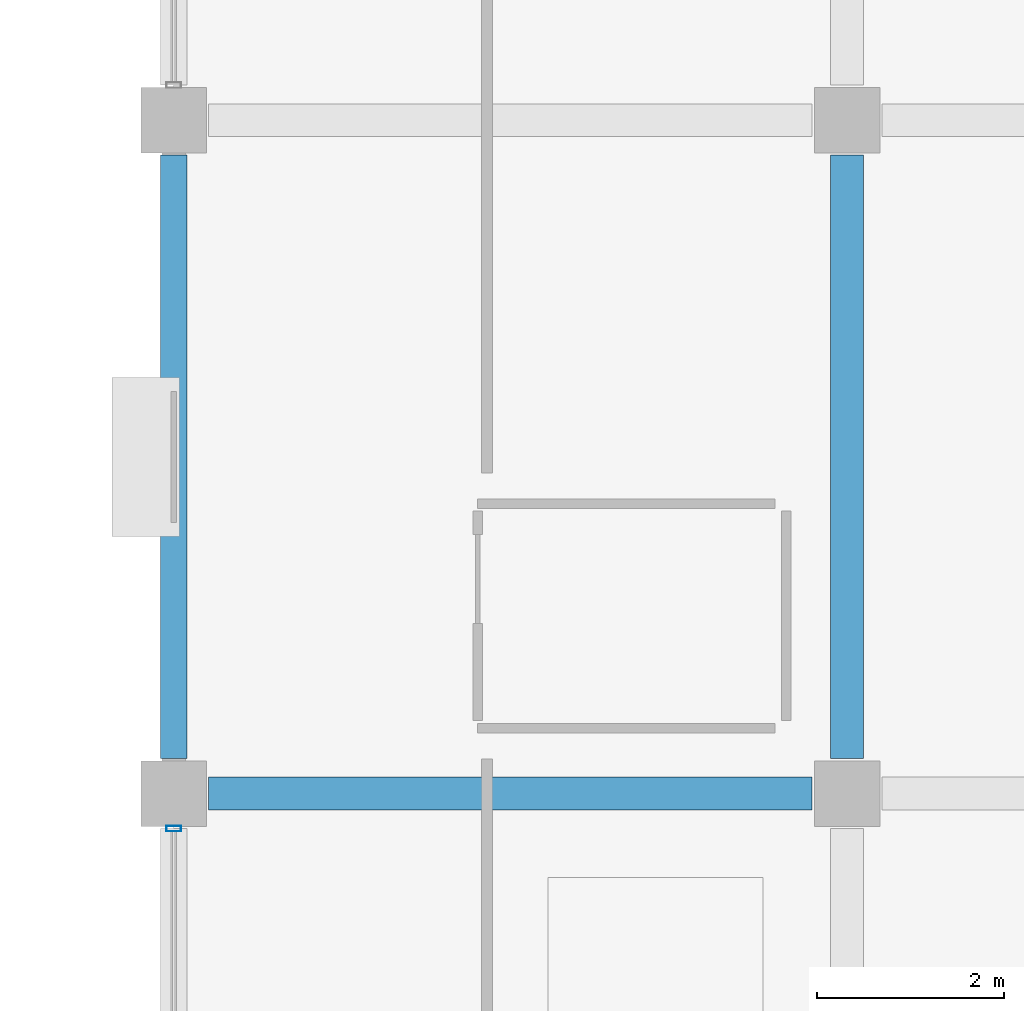
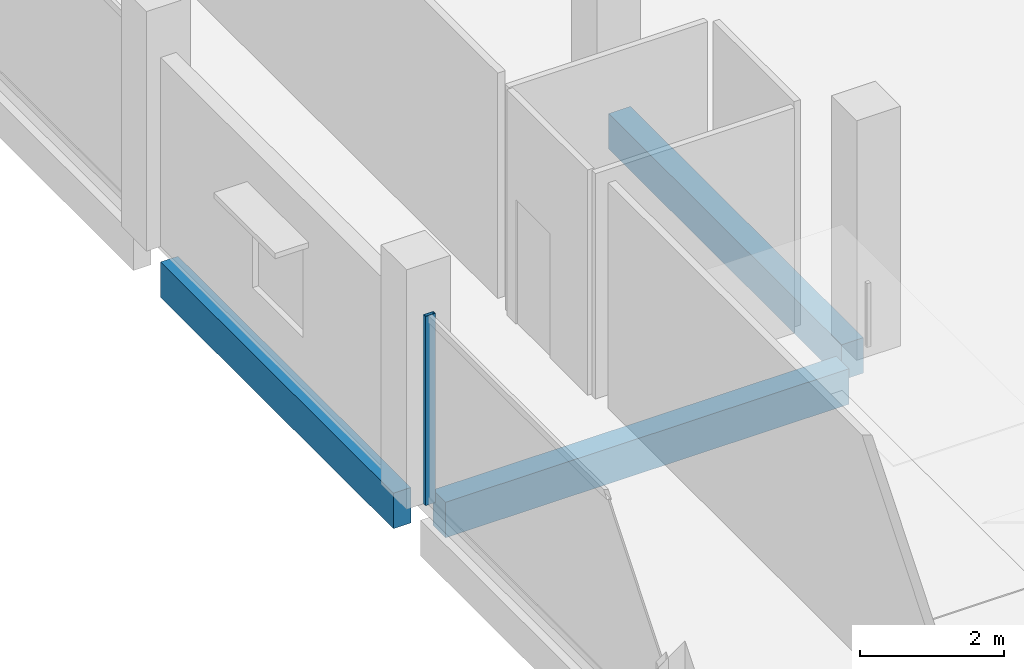
# One storey, part 43 of 91: 3 beams, 1 member, 1 element without a shape of its own.
"""IFC4 building model written with IfcOpenShell, lengths in metres."""

from ifc_helpers import new_model, si_unit, direction, frame, origin, origin_2d, place, context, subcontext, project, spatial, rectangle, hollow_rectangle, extrude, material, layer, layer_set, material_profile, profile_set, type_object, element, aggregate, save


model = new_model("IFC4")

# Units and contexts
model_context = context("Model", 3, precision=1e-05, world=origin(), true_north=direction((0.0, 1.0)))
body_context = subcontext(model_context, "Body", "Model", "MODEL_VIEW")
ifc_project = project(units=[si_unit("LENGTHUNIT", "METRE"), si_unit("AREAUNIT", "SQUARE_METRE"), si_unit("VOLUMEUNIT", "CUBIC_METRE"), si_unit("PLANEANGLEUNIT", "RADIAN"), si_unit("MASSUNIT", "GRAM", prefix="KILO")], contexts=[model_context])

# Site, building, storey
site_placement = place(None, origin())
site = spatial("IfcSite", under=ifc_project, at=site_placement, CompositionType="ELEMENT")
building_placement = place(site_placement, origin())
building = spatial("IfcBuilding", under=site, at=building_placement, Name="Kangsadwip Square Police Headquarters", CompositionType="ELEMENT")
storey_placement = place(building_placement, frame((0.0, 0.0, 13.5)))
storey = spatial("IfcBuildingStorey", under=building, at=storey_placement, Name="L03", CompositionType="ELEMENT", Elevation=13.5)

# Curtain wall, member
ifc_material_1 = material(Name="Thermally broken anodised aluminium AW-6063-T6", Category="aluminium")
ifc_layer = layer(ifc_material_1, 0.159912109375)
ifc_layer_set = layer_set([ifc_layer], Name="Thermally broken anodised aluminium AW-6063-T6")
curtain_wall_type = type_object("IfcCurtainWallType", Name="CourtScreen6510x3200", PredefinedType="USERDEFINED", material=ifc_layer_set)
curtain_wall_placement = place(storey_placement, origin())
curtain_wall = element("IfcCurtainWall", 1, at=curtain_wall_placement, inside=storey, type_object=curtain_wall_type, Name="Curtain Wall CW-L03-1440-0651", ObjectType="GLAZED_SCREEN", PredefinedType="USERDEFINED")
ifc_material_2 = material(Name="Thermally broken anodised aluminium AW-6063-T6", Category="aluminium")
ifc_material_profile_1 = material_profile(ifc_material_2, hollow_rectangle(XDim=0.06005859375, YDim=0.159912109375, WallThickness=0.00390625, at=origin_2d()), Name="CWM 160X60X4")
ifc_profile_set_1 = profile_set([ifc_material_profile_1], Name="Thermally broken anodised aluminium AW-6063-T6")
member_type = type_object("IfcMemberType", Name="CwMullion135x60", PredefinedType="MULLION", material=ifc_profile_set_1)
member_placement = place(storey_placement, frame((144.0, 71.625, 0.0), z_axis=(0.0, 0.0, 1.0), x_axis=(0.0, 1.0, 0.0)))
member = element("IfcMember", 2, at=member_placement, type_object=member_type, Name="CW-19 mullion 2", PredefinedType="MULLION", context=body_context, shape_type="SweptSolid", body=[
    extrude(hollow_rectangle(XDim=0.06005859375, YDim=0.159912109375, WallThickness=0.00390625, at=origin_2d()), origin(), (0.0, 0.0, 1.0), 3.199951171875),
])
aggregate(curtain_wall, [member])

# Beams
ifc_material_3 = material(Name="Concrete M35 (35 MPa)", Category="concrete")
ifc_material_profile_2 = material_profile(ifc_material_3, rectangle(XDim=0.35009765625, YDim=0.60009765625, at=origin_2d()), Name="RC BM 600X350")
ifc_profile_set_2 = profile_set([ifc_material_profile_2], Name="Concrete M35 (35 MPa)")
beam_type_1 = type_object("IfcBeamType", Name="RcBeam600x350", PredefinedType="BEAM", material=ifc_profile_set_2)
for number, where, z_axis, x_axis, name in (
    (3, (144.375, 72.0, -0.5400390625), (1.0, 0.0, 0.0), (0.0, 1.0, 0.0), "Beam BM-L03-X-20-10"),
    (4, (151.199951171875, 72.375, -0.5400390625), (0.0, 1.0, 0.0), (-1.0, 0.0, 0.0), "Beam BM-L03-Y-21-10"),
):
    element("IfcBeam", number, at=place(storey_placement, frame(where, z_axis=z_axis, x_axis=x_axis)), inside=storey, type_object=beam_type_1, Name=name, PredefinedType="BEAM", context=body_context, shape_type="SweptSolid", body=[
        extrude(rectangle(XDim=0.35009765625, YDim=0.60009765625, at=origin_2d()), origin(), (0.0, 0.0, 1.0), 6.449951171875),
    ])
ifc_material_4 = material(Name="Concrete M40 (40 MPa)", Category="concrete")
ifc_material_profile_3 = material_profile(ifc_material_4, rectangle(XDim=0.280029296875, YDim=0.60009765625, at=origin_2d()), Name="RC SPN 600X280")
ifc_profile_set_3 = profile_set([ifc_material_profile_3], Name="Concrete M40 (40 MPa)")
beam_type_2 = type_object("IfcBeamType", Name="RcSpandrel600x280", PredefinedType="SPANDREL", material=ifc_profile_set_3)
beam_placement = place(storey_placement, frame((144.0, 72.375, -0.5400390625), z_axis=(0.0, 1.0, 0.0), x_axis=(-1.0, 0.0, 0.0)))
element("IfcBeam", 5, at=beam_placement, inside=storey, type_object=beam_type_2, Name="Beam BM-L03-Y-20-10", PredefinedType="SPANDREL", context=body_context, shape_type="SweptSolid", body=[
    extrude(rectangle(XDim=0.280029296875, YDim=0.60009765625, at=origin_2d()), origin(), (0.0, 0.0, 1.0), 6.449951171875),
])

save(model, "model.ifc")
